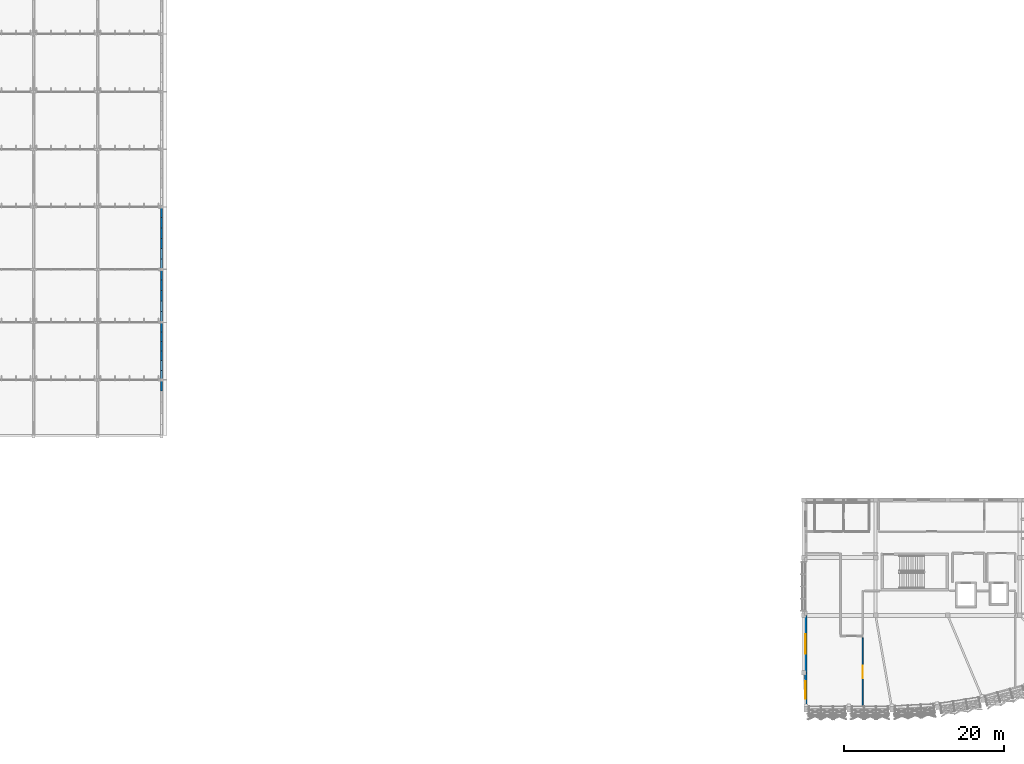
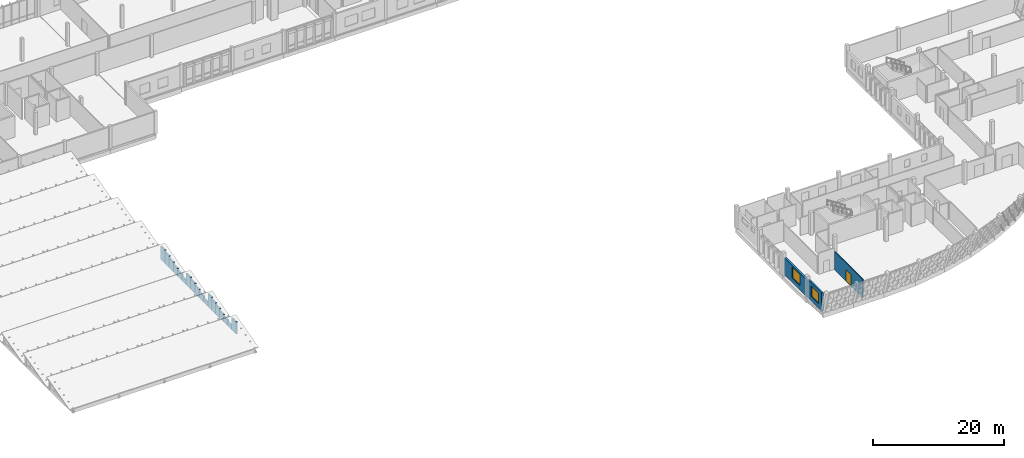
# One storey, part 81 of 94: 21 walls, 2 windows, 1 door, 3 openings.
"""IFC4 building model written with IfcOpenShell, lengths in metres."""

from ifc_helpers import new_model, si_unit, direction, frame, frame_2d, origin, place, context, subcontext, project, spatial, rectangle, extrude, material, layer, layer_set, type_object, element, fill, save


model = new_model("IFC4")

# Units and contexts
model_context = context("Model", 3, precision=1e-05, world=origin(), true_north=direction((0.0, 1.0)))
body_context = subcontext(model_context, "Body", "Model", "MODEL_VIEW")
ifc_project = project(units=[si_unit("LENGTHUNIT", "METRE"), si_unit("AREAUNIT", "SQUARE_METRE"), si_unit("VOLUMEUNIT", "CUBIC_METRE"), si_unit("PLANEANGLEUNIT", "RADIAN"), si_unit("MASSUNIT", "GRAM", prefix="KILO")], contexts=[model_context])

# Site, building, storey
site_placement = place(None, origin())
site = spatial("IfcSite", under=ifc_project, at=site_placement, CompositionType="ELEMENT")
building_placement = place(site_placement, origin())
building = spatial("IfcBuilding", under=site, at=building_placement, Name="Chiffa Square Polytechnic", CompositionType="ELEMENT")
storey_placement = place(building_placement, frame((0.0, 0.0, 18.0)))
storey = spatial("IfcBuildingStorey", under=building, at=storey_placement, Name="L04", CompositionType="ELEMENT", Elevation=18.0)

# Walls
ifc_material_1 = material(Name="Precast concrete C40/50", Category="concrete")
ifc_layer_1 = layer(ifc_material_1, 0.260009765625, Name="Precast concrete C40/50")
ifc_layer_set_1 = layer_set([ifc_layer_1], Name="Precast concrete C40/50")
wall_type_1 = type_object("IfcWallType", Name="WL-EXT-PC260", PredefinedType="SOLIDWALL", material=ifc_layer_set_1)
wall_1_placement = place(storey_placement, frame((32.0, 42.409912109375, 0.0), z_axis=(0.0, 0.0, 1.0), x_axis=(0.0, 1.0, 0.0)))
element("IfcWall", 1, at=wall_1_placement, inside=storey, type_object=wall_type_1, Name="Stepped gable infill wall WE-V6-SAWE-01-05", PredefinedType="SOLIDWALL", context=body_context, shape_type="SweptSolid", body=[
    extrude(rectangle(XDim=1.39013671875, YDim=0.260009765625, at=frame_2d((0.695068359375, 0.0))), origin(), (0.0, 0.0, 1.0), 2.2451171875),
])
wall_2_placement = place(storey_placement, frame((32.0, 43.800048828125, 0.0), z_axis=(0.0, 0.0, 1.0), x_axis=(0.0, 1.0, 0.0)))
element("IfcWall", 2, at=wall_2_placement, inside=storey, type_object=wall_type_1, Name="Stepped gable infill wall WE-V6-SAWE-02-01", PredefinedType="SOLIDWALL", context=body_context, shape_type="SweptSolid", body=[
    extrude(rectangle(XDim=1.199951171875, YDim=0.260009765625, at=frame_2d((0.60009765625, 0.0))), origin(), (0.0, 0.0, 1.0), 0.748046875),
])
wall_3_placement = place(storey_placement, frame((32.0, 45.0, 0.0), z_axis=(0.0, 0.0, 1.0), x_axis=(0.0, 1.0, 0.0)))
element("IfcWall", 3, at=wall_3_placement, inside=storey, type_object=wall_type_1, Name="Stepped gable infill wall WE-V6-SAWE-02-02", PredefinedType="SOLIDWALL", context=body_context, shape_type="SweptSolid", body=[
    extrude(rectangle(XDim=1.199951171875, YDim=0.260009765625, at=frame_2d((0.60009765625, 0.0))), origin(), (0.0, 0.0, 1.0), 1.070068359375),
])
wall_4_placement = place(storey_placement, frame((32.0, 46.199951171875, 0.0), z_axis=(0.0, 0.0, 1.0), x_axis=(0.0, 1.0, 0.0)))
element("IfcWall", 4, at=wall_4_placement, inside=storey, type_object=wall_type_1, Name="Stepped gable infill wall WE-V6-SAWE-02-03", PredefinedType="SOLIDWALL", context=body_context, shape_type="SweptSolid", body=[
    extrude(rectangle(XDim=1.199951171875, YDim=0.260009765625, at=frame_2d((0.60009765625, 0.0))), origin(), (0.0, 0.0, 1.0), 1.39111328125),
])
wall_5_placement = place(storey_placement, frame((32.0, 47.39990234375, 0.0), z_axis=(0.0, 0.0, 1.0), x_axis=(0.0, 1.0, 0.0)))
element("IfcWall", 5, at=wall_5_placement, inside=storey, type_object=wall_type_1, Name="Stepped gable infill wall WE-V6-SAWE-02-04", PredefinedType="SOLIDWALL", context=body_context, shape_type="SweptSolid", body=[
    extrude(rectangle(XDim=1.2001953125, YDim=0.260009765625, at=frame_2d((0.60009765625, 0.0))), origin(), (0.0, 0.0, 1.0), 1.712890625),
])
wall_6_placement = place(storey_placement, frame((32.0, 48.60009765625, 0.0), z_axis=(0.0, 0.0, 1.0), x_axis=(0.0, 1.0, 0.0)))
element("IfcWall", 6, at=wall_6_placement, inside=storey, type_object=wall_type_1, Name="Stepped gable infill wall WE-V6-SAWE-02-05", PredefinedType="SOLIDWALL", context=body_context, shape_type="SweptSolid", body=[
    extrude(rectangle(XDim=1.199951171875, YDim=0.260009765625, at=frame_2d((0.60009765625, 0.0))), origin(), (0.0, 0.0, 1.0), 2.033935546875),
])
wall_7_placement = place(storey_placement, frame((32.0, 49.800048828125, 0.0), z_axis=(0.0, 0.0, 1.0), x_axis=(0.0, 1.0, 0.0)))
element("IfcWall", 7, at=wall_7_placement, inside=storey, type_object=wall_type_1, Name="Stepped gable infill wall WE-V6-SAWE-02-06", PredefinedType="SOLIDWALL", context=body_context, shape_type="SweptSolid", body=[
    extrude(rectangle(XDim=1.199951171875, YDim=0.260009765625, at=frame_2d((0.60009765625, 0.0))), origin(), (0.0, 0.0, 1.0), 2.35595703125),
])
wall_8_placement = place(storey_placement, frame((32.0, 51.0, 0.0), z_axis=(0.0, 0.0, 1.0), x_axis=(0.0, 1.0, 0.0)))
element("IfcWall", 8, at=wall_8_placement, inside=storey, type_object=wall_type_1, Name="Stepped gable infill wall WE-V6-SAWE-03-01", PredefinedType="SOLIDWALL", context=body_context, shape_type="SweptSolid", body=[
    extrude(rectangle(XDim=1.320068359375, YDim=0.260009765625, at=frame_2d((0.66015625, 0.0))), origin(), (0.0, 0.0, 1.0), 0.7529296875),
])
wall_9_placement = place(storey_placement, frame((32.0, 52.320068359375, 0.0), z_axis=(0.0, 0.0, 1.0), x_axis=(0.0, 1.0, 0.0)))
element("IfcWall", 9, at=wall_9_placement, inside=storey, type_object=wall_type_1, Name="Stepped gable infill wall WE-V6-SAWE-03-02", PredefinedType="SOLIDWALL", context=body_context, shape_type="SweptSolid", body=[
    extrude(rectangle(XDim=1.31982421875, YDim=0.260009765625, at=frame_2d((0.659912109375, 0.0))), origin(), (0.0, 0.0, 1.0), 1.10693359375),
])
wall_10_placement = place(storey_placement, frame((32.0, 53.639892578125, 0.0), z_axis=(0.0, 0.0, 1.0), x_axis=(0.0, 1.0, 0.0)))
element("IfcWall", 10, at=wall_10_placement, inside=storey, type_object=wall_type_1, Name="Stepped gable infill wall WE-V6-SAWE-03-03", PredefinedType="SOLIDWALL", context=body_context, shape_type="SweptSolid", body=[
    extrude(rectangle(XDim=1.320068359375, YDim=0.260009765625, at=frame_2d((0.66015625, 0.0))), origin(), (0.0, 0.0, 1.0), 1.4599609375),
])
wall_11_placement = place(storey_placement, frame((32.0, 54.9599609375, 0.0), z_axis=(0.0, 0.0, 1.0), x_axis=(0.0, 1.0, 0.0)))
element("IfcWall", 11, at=wall_11_placement, inside=storey, type_object=wall_type_1, Name="Stepped gable infill wall WE-V6-SAWE-03-04", PredefinedType="SOLIDWALL", context=body_context, shape_type="SweptSolid", body=[
    extrude(rectangle(XDim=1.320068359375, YDim=0.260009765625, at=frame_2d((0.66015625, 0.0))), origin(), (0.0, 0.0, 1.0), 1.81396484375),
])
wall_12_placement = place(storey_placement, frame((32.0, 56.280029296875, 0.0), z_axis=(0.0, 0.0, 1.0), x_axis=(0.0, 1.0, 0.0)))
element("IfcWall", 12, at=wall_12_placement, inside=storey, type_object=wall_type_1, Name="Stepped gable infill wall WE-V6-SAWE-03-05", PredefinedType="SOLIDWALL", context=body_context, shape_type="SweptSolid", body=[
    extrude(rectangle(XDim=1.320068359375, YDim=0.260009765625, at=frame_2d((0.66015625, 0.0))), origin(), (0.0, 0.0, 1.0), 2.1669921875),
])
wall_13_placement = place(storey_placement, frame((32.0, 57.60009765625, 0.0), z_axis=(0.0, 0.0, 1.0), x_axis=(0.0, 1.0, 0.0)))
element("IfcWall", 13, at=wall_13_placement, inside=storey, type_object=wall_type_1, Name="Stepped gable infill wall WE-V6-SAWE-04-01", PredefinedType="SOLIDWALL", context=body_context, shape_type="SweptSolid", body=[
    extrude(rectangle(XDim=1.2998046875, YDim=0.260009765625, at=frame_2d((0.64990234375, 0.0))), origin(), (0.0, 0.0, 1.0), 0.751953125),
])
wall_14_placement = place(storey_placement, frame((32.0, 58.89990234375, 0.0), z_axis=(0.0, 0.0, 1.0), x_axis=(0.0, 1.0, 0.0)))
element("IfcWall", 14, at=wall_14_placement, inside=storey, type_object=wall_type_1, Name="Stepped gable infill wall WE-V6-SAWE-04-02", PredefinedType="SOLIDWALL", context=body_context, shape_type="SweptSolid", body=[
    extrude(rectangle(XDim=1.300048828125, YDim=0.260009765625, at=frame_2d((0.64990234375, 0.0))), origin(), (0.0, 0.0, 1.0), 1.10107421875),
])
wall_15_placement = place(storey_placement, frame((32.0, 60.199951171875, 0.0), z_axis=(0.0, 0.0, 1.0), x_axis=(0.0, 1.0, 0.0)))
element("IfcWall", 15, at=wall_15_placement, inside=storey, type_object=wall_type_1, Name="Stepped gable infill wall WE-V6-SAWE-04-03", PredefinedType="SOLIDWALL", context=body_context, shape_type="SweptSolid", body=[
    extrude(rectangle(XDim=1.300048828125, YDim=0.260009765625, at=frame_2d((0.64990234375, 0.0))), origin(), (0.0, 0.0, 1.0), 1.448974609375),
])
wall_16_placement = place(storey_placement, frame((32.0, 61.5, 0.0), z_axis=(0.0, 0.0, 1.0), x_axis=(0.0, 1.0, 0.0)))
element("IfcWall", 16, at=wall_16_placement, inside=storey, type_object=wall_type_1, Name="Stepped gable infill wall WE-V6-SAWE-04-04", PredefinedType="SOLIDWALL", context=body_context, shape_type="SweptSolid", body=[
    extrude(rectangle(XDim=1.300048828125, YDim=0.260009765625, at=frame_2d((0.64990234375, 0.0))), origin(), (0.0, 0.0, 1.0), 1.797119140625),
])
wall_17_placement = place(storey_placement, frame((32.0, 62.800048828125, 0.0), z_axis=(0.0, 0.0, 1.0), x_axis=(0.0, 1.0, 0.0)))
element("IfcWall", 17, at=wall_17_placement, inside=storey, type_object=wall_type_1, Name="Stepped gable infill wall WE-V6-SAWE-04-05", PredefinedType="SOLIDWALL", context=body_context, shape_type="SweptSolid", body=[
    extrude(rectangle(XDim=1.300048828125, YDim=0.260009765625, at=frame_2d((0.64990234375, 0.0))), origin(), (0.0, 0.0, 1.0), 2.14599609375),
])
wall_18_placement = place(storey_placement, frame((32.0, 64.10009765625, 0.0), z_axis=(0.0, 0.0, 1.0), x_axis=(0.0, 1.0, 0.0)))
element("IfcWall", 18, at=wall_18_placement, inside=storey, type_object=wall_type_1, Name="Stepped gable infill wall WE-V6-SAWE-04-06", PredefinedType="SOLIDWALL", context=body_context, shape_type="SweptSolid", body=[
    extrude(rectangle(XDim=1.2998046875, YDim=0.260009765625, at=frame_2d((0.64990234375, 0.0))), origin(), (0.0, 0.0, 1.0), 2.493896484375),
])

# Wall, opening, window
ifc_layer_2 = layer(ifc_material_1, 0.300048828125, Name="Precast concrete C40/50")
ifc_layer_set_2 = layer_set([ifc_layer_2], Name="Precast concrete C40/50")
wall_type_2 = type_object("IfcWallType", Name="WL-EXT-PC300", PredefinedType="SOLIDWALL", material=ifc_layer_set_2)
wall_19_placement = place(storey_placement, frame((112.449951171875, 7.199951171875, 0.0), z_axis=(0.0, 0.0, 1.0), x_axis=(0.0, -1.0, 0.0)))
wall_19 = element("IfcWall", 19, at=wall_19_placement, inside=storey, type_object=wall_type_2, Name="Exterior wall WE-V1-L04-0071", PredefinedType="SOLIDWALL", context=body_context, shape_type="SweptSolid", body=[
    extrude(rectangle(XDim=4.22705078125, YDim=0.300048828125, at=frame_2d((2.113525390625, 0.0))), origin(), (0.0, 0.0, 1.0), 3.425048828125),
])
opening_1_placement = place(wall_19_placement, frame((1.013916015625, 0.0, 0.85009765625)))
opening_1 = element("IfcOpeningElement", 20, at=opening_1_placement, cuts=wall_19, Name="Opening W-11", PredefinedType="OPENING", context=body_context, shape_type="SweptSolid", body=[
    extrude(rectangle(XDim=2.199951171875, YDim=2.0, at=frame_2d((1.10009765625, 1.0))), frame((0.0, 0.16015625, 0.0), z_axis=(0.0, -1.0, 0.0), x_axis=(1.0, 0.0, 0.0)), (0.0, 0.0, 1.0), 0.320068359375),
])
ifc_material_2 = material(Name="Double glazing in thermally broken aluminium frame", Category="aluminium")
window_type_1 = type_object("IfcWindowType", Name="WIN-STD-2200X2000", PartitioningType="DOUBLE_PANEL_VERTICAL", PredefinedType="WINDOW", material=ifc_material_2)
window_1_placement = place(opening_1_placement, origin())
window_1 = element("IfcWindow", 21, at=window_1_placement, inside=storey, type_object=window_type_1, Name="Facade window WN-L04-0073", OverallHeight=2.0, OverallWidth=2.199951171875, PartitioningType="DOUBLE_PANEL_VERTICAL", PredefinedType="WINDOW", context=body_context, shape_type="SweptSolid", body=[
    extrude(rectangle(XDim=2.199951171875, YDim=2.0, at=frame_2d((1.10009765625, 1.0))), frame((0.0, 0.030029296875, 0.0), z_axis=(0.0, -1.0, 0.0), x_axis=(1.0, 0.0, 0.0)), (0.0, 0.0, 1.0), 0.06005859375),
])
fill(opening_1, window_1)

ifc_layer_3 = layer(ifc_material_1, 0.340087890625, Name="Precast concrete C40/50")
ifc_layer_set_3 = layer_set([ifc_layer_3], Name="Precast concrete C40/50")
wall_type_3 = type_object("IfcWallType", Name="WL-EXT-PC340", PredefinedType="SOLIDWALL", material=ifc_layer_set_3)
wall_20_placement = place(storey_placement, frame((112.449951171875, 14.39990234375, 0.0), z_axis=(0.0, 0.0, 1.0), x_axis=(0.0, -1.0, 0.0)))
wall_20 = element("IfcWall", 22, at=wall_20_placement, inside=storey, type_object=wall_type_3, Name="Exterior wall WE-V1-L04-0070", PredefinedType="SOLIDWALL", context=body_context, shape_type="SweptSolid", body=[
    extrude(rectangle(XDim=7.199951171875, YDim=0.340087890625, at=frame_2d((3.60009765625, 0.0))), origin(), (0.0, 0.0, 1.0), 3.125),
])
opening_2_placement = place(wall_20_placement, frame((2.39990234375, 0.0, 0.85009765625)))
opening_2 = element("IfcOpeningElement", 23, at=opening_2_placement, cuts=wall_20, Name="Opening W-10", PredefinedType="OPENING", context=body_context, shape_type="SweptSolid", body=[
    extrude(rectangle(XDim=2.39990234375, YDim=2.050048828125, at=frame_2d((1.199951171875, 1.02490234375))), frame((0.0, 0.18017578125, 0.0), z_axis=(0.0, -1.0, 0.0), x_axis=(1.0, 0.0, 0.0)), (0.0, 0.0, 1.0), 0.360107421875),
])
window_type_2 = type_object("IfcWindowType", Name="WIN-STD-2400X2050", PartitioningType="DOUBLE_PANEL_VERTICAL", PredefinedType="WINDOW", material=ifc_material_2)
window_2_placement = place(opening_2_placement, origin())
window_2 = element("IfcWindow", 24, at=window_2_placement, inside=storey, type_object=window_type_2, Name="Facade window WN-L04-0072", OverallHeight=2.050048828125, OverallWidth=2.39990234375, PartitioningType="DOUBLE_PANEL_VERTICAL", PredefinedType="WINDOW", context=body_context, shape_type="SweptSolid", body=[
    extrude(rectangle(XDim=2.39990234375, YDim=2.050048828125, at=frame_2d((1.199951171875, 1.02490234375))), frame((0.0, 0.030029296875, 0.0), z_axis=(0.0, -1.0, 0.0), x_axis=(1.0, 0.0, 0.0)), (0.0, 0.0, 1.0), 0.06005859375),
])
fill(opening_2, window_2)

# Wall, opening, door
ifc_material_3 = material(Name="Gypsum board on acoustic steel stud", Category="steel")
ifc_layer_4 = layer(ifc_material_3, 0.159912109375, Name="Gypsum board on acoustic steel stud")
ifc_layer_set_4 = layer_set([ifc_layer_4], Name="Gypsum board on acoustic steel stud")
wall_type_4 = type_object("IfcWallType", Name="WL-PART-EI60-160", PredefinedType="PARTITIONING", material=ifc_layer_set_4)
wall_21_placement = place(storey_placement, frame((119.60009765625, 3.028076171875, 0.0), z_axis=(0.0, 0.0, 1.0), x_axis=(0.0, 1.0, 0.0)))
wall_21 = element("IfcWall", 25, at=wall_21_placement, inside=storey, type_object=wall_type_4, Name="Interior partition WP-V1-L04-0625", PredefinedType="PARTITIONING", context=body_context, shape_type="SweptSolid", body=[
    extrude(rectangle(XDim=8.552001953125, YDim=0.159912109375, at=frame_2d((4.27587890625, 0.0))), origin(), (0.0, 0.0, 1.0), 3.425048828125),
])
opening_3_placement = place(wall_21_placement, frame((3.47607421875, 0.0, 0.0)))
opening_3 = element("IfcOpeningElement", 26, at=opening_3_placement, cuts=wall_21, Name="Opening DI-L04-222", PredefinedType="OPENING", context=body_context, shape_type="SweptSolid", body=[
    extrude(rectangle(XDim=1.60009765625, YDim=2.199951171875, at=frame_2d((0.800048828125, 1.10009765625))), frame((0.0, 0.08984375, 0.0), z_axis=(0.0, -1.0, 0.0), x_axis=(1.0, 0.0, 0.0)), (0.0, 0.0, 1.0), 0.179931640625),
])
ifc_material_4 = material(Name="Vision-panel timber laboratory door", Category="wood")
door_type = type_object("IfcDoorType", Name="DR-LAB-DBL-1600", OperationType="DOUBLE_DOOR_SINGLE_SWING", PredefinedType="DOOR", material=ifc_material_4)
door_placement = place(opening_3_placement, origin())
door = element("IfcDoor", 27, at=door_placement, inside=storey, type_object=door_type, Name="Interior room door DI-L04-222", OperationType="DOUBLE_DOOR_SINGLE_SWING", OverallHeight=2.199951171875, OverallWidth=1.60009765625, PredefinedType="DOOR", context=body_context, shape_type="SweptSolid", body=[
    extrude(rectangle(XDim=1.60009765625, YDim=2.199951171875, at=frame_2d((0.800048828125, 1.10009765625))), frame((0.0, 0.02490234375, 0.0), z_axis=(0.0, -1.0, 0.0), x_axis=(1.0, 0.0, 0.0)), (0.0, 0.0, 1.0), 0.050048828125),
])
fill(opening_3, door)

save(model, "model.ifc")
